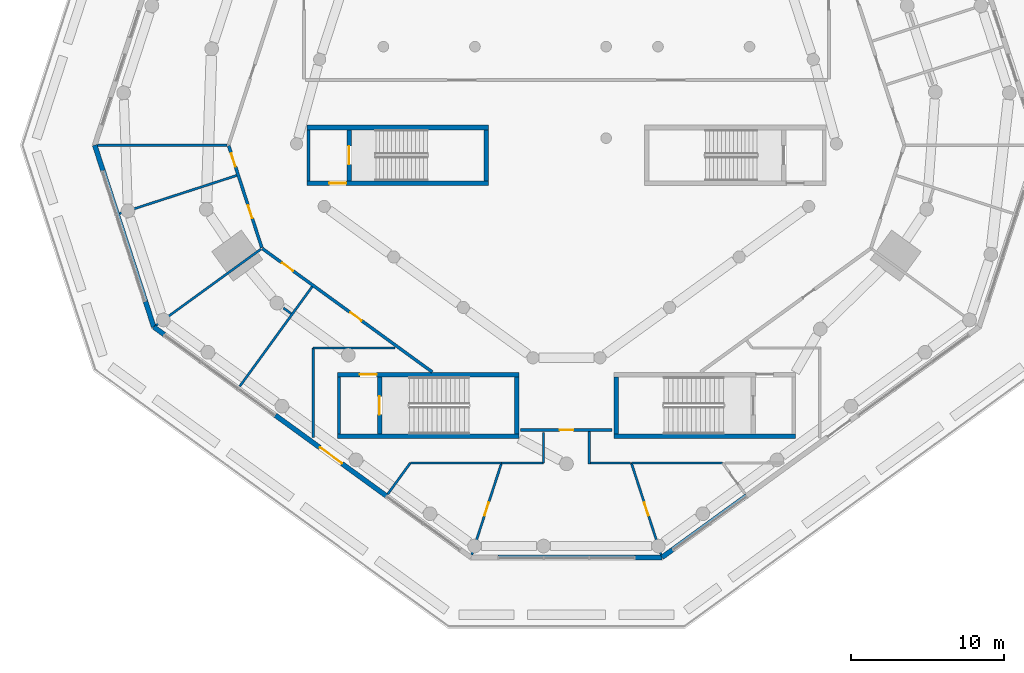
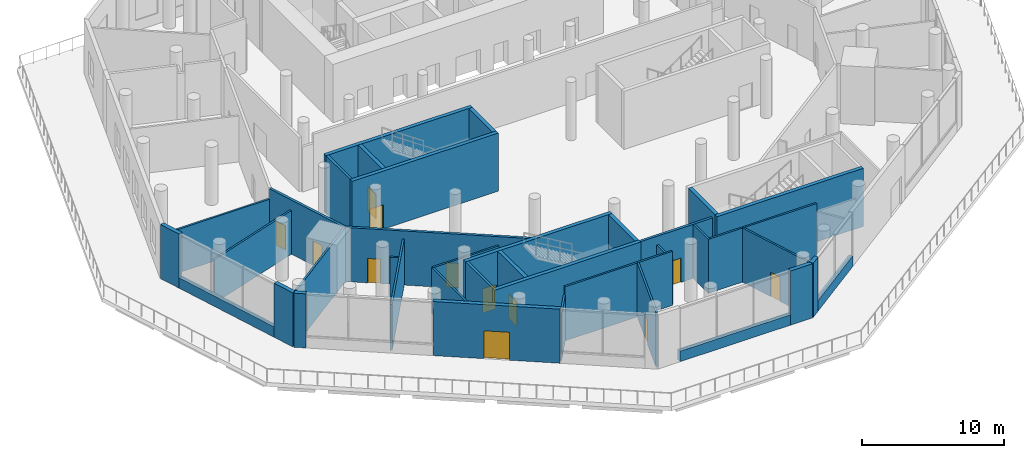
# One storey, part 9 of 19: 40 walls, 12 doors, 12 openings.
"""IFC4 building model written with IfcOpenShell, lengths in metres."""

from ifc_helpers import new_model, si_unit, direction, frame, frame_2d, origin, place, context, subcontext, project, spatial, rectangle, extrude, material, layer, layer_set, type_object, element, fill, save


model = new_model("IFC4")

# Units and contexts
model_context = context("Model", 3, precision=1e-05, world=origin(), true_north=direction((0.0, 1.0)))
body_context = subcontext(model_context, "Body", "Model", "MODEL_VIEW")
ifc_project = project(units=[si_unit("LENGTHUNIT", "METRE"), si_unit("AREAUNIT", "SQUARE_METRE"), si_unit("VOLUMEUNIT", "CUBIC_METRE"), si_unit("PLANEANGLEUNIT", "RADIAN"), si_unit("MASSUNIT", "GRAM", prefix="KILO")], contexts=[model_context])

# Site, building, storey
site_placement = place(None, origin())
site = spatial("IfcSite", under=ifc_project, at=site_placement, CompositionType="ELEMENT")
building_placement = place(site_placement, origin())
building = spatial("IfcBuilding", under=site, at=building_placement, Name="White Candle Pilgrim Tower", CompositionType="ELEMENT")
storey_placement = place(building_placement, frame((0.0, 0.0, 29.0)))
storey = spatial("IfcBuildingStorey", under=building, at=storey_placement, Name="L04", CompositionType="ELEMENT", Elevation=29.0)

# Walls
ifc_material_1 = material(Name="Concrete C70/85", Category="concrete")
ifc_layer_1 = layer(ifc_material_1, 0.199951171875)
ifc_layer_set_1 = layer_set([ifc_layer_1], Name="Core wall 200 mm Concrete C70/85")
wall_type_1 = type_object("IfcWallType", Name="Core wall 200 mm Concrete C70/85", PredefinedType="SHEAR", material=ifc_layer_set_1)
wall_1_placement = place(storey_placement, frame((55.10009765625, 41.60009765625, 0.0), z_axis=(0.0, 0.0, 1.0), x_axis=(0.0, 1.0, 0.0)))
element("IfcWall", 1, at=wall_1_placement, inside=storey, type_object=wall_type_1, Name="WL-L04-C03", PredefinedType="SHEAR", context=body_context, shape_type="SweptSolid", body=[
    extrude(rectangle(XDim=3.75, YDim=0.199951171875, at=frame_2d((1.875, 0.0))), origin(), (0.0, 0.0, 1.0), 5.0),
])
wall_2_placement = place(storey_placement, frame((53.10009765625, 58.199951171875, 0.0), z_axis=(0.0, 0.0, 1.0), x_axis=(0.0, 1.0, 0.0)))
element("IfcWall", 2, at=wall_2_placement, inside=storey, type_object=wall_type_1, Name="WL-L04-C13", PredefinedType="SHEAR", context=body_context, shape_type="SweptSolid", body=[
    extrude(rectangle(XDim=3.35009765625, YDim=0.199951171875, at=frame_2d((1.675048828125, 0.0))), origin(), (0.0, 0.0, 1.0), 5.0),
])

# Wall, openings, doors
ifc_material_2 = material(Name="Gypsum board on steel studs", Category="steel")
ifc_layer_2 = layer(ifc_material_2, 0.199951171875)
ifc_layer_set_2 = layer_set([ifc_layer_2], Name="Corridor wall 200 mm EI 45")
wall_type_2 = type_object("IfcWallType", Name="Corridor wall 200 mm EI 45", PredefinedType="PARTITIONING", material=ifc_layer_set_2)
wall_3_placement = place(storey_placement, frame((61.204345703125, 45.669189453125, 0.0), z_axis=(0.0, 0.0, 1.0), x_axis=(-0.809024401628, 0.587775056948, 0.0)))
wall_3 = element("IfcWall", 3, at=wall_3_placement, inside=storey, type_object=wall_type_2, Name="WL-L04-P001", PredefinedType="PARTITIONING", context=body_context, shape_type="SweptSolid", body=[
    extrude(rectangle(XDim=13.763427734375, YDim=0.199951171875, at=frame_2d((6.8818359375, 0.0))), origin(), (0.0, 0.0, 1.0), 4.64990234375),
])
opening_1_placement = place(wall_3_placement, frame((11.27734375, 0.0, 0.0)))
opening_1 = element("IfcOpeningElement", 4, at=opening_1_placement, cuts=wall_3, Name="Opening L04-106", PredefinedType="OPENING", context=body_context, shape_type="SweptSolid", body=[
    extrude(rectangle(XDim=0.89990234375, YDim=2.10009765625, at=frame_2d((0.449951171875, 1.050048828125))), frame((0.0, 0.10986328125, 0.0), z_axis=(0.0, -1.0, 0.0), x_axis=(1.0, 0.0, 0.0)), (0.0, 0.0, 1.0), 0.219970703125),
])
opening_2_placement = place(wall_3_placement, frame((5.72412109375, 0.0, 0.0)))
opening_2 = element("IfcOpeningElement", 5, at=opening_2_placement, cuts=wall_3, Name="Opening L04-107", PredefinedType="OPENING", context=body_context, shape_type="SweptSolid", body=[
    extrude(rectangle(XDim=0.89990234375, YDim=2.10009765625, at=frame_2d((0.449951171875, 1.050048828125))), frame((0.0, 0.10986328125, 0.0), z_axis=(0.0, -1.0, 0.0), x_axis=(1.0, 0.0, 0.0)), (0.0, 0.0, 1.0), 0.219970703125),
])
ifc_material_3 = material(Name="Steel door leaf", Category="steel")
door_type_1 = type_object("IfcDoorType", Name="Fire door 900 x 2100 EI 30", OperationType="NOTDEFINED", PredefinedType="DOOR", material=ifc_material_3)
door_1_placement = place(opening_1_placement, origin())
door_1 = element("IfcDoor", 6, at=door_1_placement, inside=storey, type_object=door_type_1, Name="Door L04-106", OperationType="SINGLE_SWING_RIGHT", OverallHeight=2.10009765625, OverallWidth=0.89990234375, PredefinedType="DOOR", context=body_context, shape_type="SweptSolid", body=[
    extrude(rectangle(XDim=0.89990234375, YDim=2.10009765625, at=frame_2d((0.449951171875, 1.050048828125))), frame((0.0, 0.02490234375, 0.0), z_axis=(0.0, -1.0, 0.0), x_axis=(1.0, 0.0, 0.0)), (0.0, 0.0, 1.0), 0.050048828125),
])
fill(opening_1, door_1)
door_2_placement = place(opening_2_placement, origin())
door_2 = element("IfcDoor", 7, at=door_2_placement, inside=storey, type_object=door_type_1, Name="Door L04-107", OperationType="SINGLE_SWING_LEFT", OverallHeight=2.10009765625, OverallWidth=0.89990234375, PredefinedType="DOOR", context=body_context, shape_type="SweptSolid", body=[
    extrude(rectangle(XDim=0.89990234375, YDim=2.10009765625, at=frame_2d((0.449951171875, 1.050048828125))), frame((0.0, 0.02490234375, 0.0), z_axis=(0.0, -1.0, 0.0), x_axis=(1.0, 0.0, 0.0)), (0.0, 0.0, 1.0), 0.050048828125),
])
fill(opening_2, door_2)

wall_4_placement = place(storey_placement, frame((50.032958984375, 53.80908203125, 0.0), z_axis=(0.0, 0.0, 1.0), x_axis=(-0.309023375149, 0.951054443032, 0.0)))
wall_4 = element("IfcWall", 8, at=wall_4_placement, inside=storey, type_object=wall_type_2, Name="WL-L04-P002", PredefinedType="PARTITIONING", context=body_context, shape_type="SweptSolid", body=[
    extrude(rectangle(XDim=7.0439453125, YDim=0.199951171875, at=frame_2d((3.52197265625, 0.0))), origin(), (0.0, 0.0, 1.0), 4.64990234375),
])
opening_3_placement = place(wall_4_placement, frame((5.59912109375, 0.0, 0.0)))
opening_3 = element("IfcOpeningElement", 9, at=opening_3_placement, cuts=wall_4, Name="Opening L04-104", PredefinedType="OPENING", context=body_context, shape_type="SweptSolid", body=[
    extrude(rectangle(XDim=0.89990234375, YDim=2.10009765625, at=frame_2d((0.449951171875, 1.050048828125))), frame((0.0, 0.10986328125, 0.0), z_axis=(0.0, -1.0, 0.0), x_axis=(1.0, 0.0, 0.0)), (0.0, 0.0, 1.0), 0.219970703125),
])
opening_4_placement = place(wall_4_placement, frame((2.044921875, 0.0, 0.0)))
opening_4 = element("IfcOpeningElement", 10, at=opening_4_placement, cuts=wall_4, Name="Opening L04-105", PredefinedType="OPENING", context=body_context, shape_type="SweptSolid", body=[
    extrude(rectangle(XDim=0.89990234375, YDim=2.10009765625, at=frame_2d((0.449951171875, 1.050048828125))), frame((0.0, 0.10986328125, 0.0), z_axis=(0.0, -1.0, 0.0), x_axis=(1.0, 0.0, 0.0)), (0.0, 0.0, 1.0), 0.219970703125),
])
door_3_placement = place(opening_3_placement, origin())
door_3 = element("IfcDoor", 11, at=door_3_placement, inside=storey, type_object=door_type_1, Name="Door L04-104", OperationType="SINGLE_SWING_RIGHT", OverallHeight=2.10009765625, OverallWidth=0.89990234375, PredefinedType="DOOR", context=body_context, shape_type="SweptSolid", body=[
    extrude(rectangle(XDim=0.89990234375, YDim=2.10009765625, at=frame_2d((0.449951171875, 1.050048828125))), frame((0.0, 0.02490234375, 0.0), z_axis=(0.0, -1.0, 0.0), x_axis=(1.0, 0.0, 0.0)), (0.0, 0.0, 1.0), 0.050048828125),
])
fill(opening_3, door_3)
door_4_placement = place(opening_4_placement, origin())
door_4 = element("IfcDoor", 12, at=door_4_placement, inside=storey, type_object=door_type_1, Name="Door L04-105", OperationType="SINGLE_SWING_LEFT", OverallHeight=2.10009765625, OverallWidth=0.89990234375, PredefinedType="DOOR", context=body_context, shape_type="SweptSolid", body=[
    extrude(rectangle(XDim=0.89990234375, YDim=2.10009765625, at=frame_2d((0.449951171875, 1.050048828125))), frame((0.0, 0.02490234375, 0.0), z_axis=(0.0, -1.0, 0.0), x_axis=(1.0, 0.0, 0.0)), (0.0, 0.0, 1.0), 0.050048828125),
])
fill(opening_4, door_4)

# Wall, opening, door
wall_5_placement = place(storey_placement, frame((73.0, 41.861083984375, 0.0), z_axis=(0.0, 0.0, 1.0), x_axis=(-1.0, 0.0, 0.0)))
wall_5 = element("IfcWall", 13, at=wall_5_placement, inside=storey, type_object=wall_type_2, Name="WL-L04-P011", PredefinedType="PARTITIONING", context=body_context, shape_type="SweptSolid", body=[
    extrude(rectangle(XDim=6.0, YDim=0.199951171875, at=frame_2d((3.0, 0.0))), origin(), (0.0, 0.0, 1.0), 4.64990234375),
])
opening_5_placement = place(wall_5_placement, frame((2.550048828125, 0.0, 0.0)))
opening_5 = element("IfcOpeningElement", 14, at=opening_5_placement, cuts=wall_5, Name="Opening L04-108", PredefinedType="OPENING", context=body_context, shape_type="SweptSolid", body=[
    extrude(rectangle(XDim=0.89990234375, YDim=2.10009765625, at=frame_2d((0.449951171875, 1.050048828125))), frame((0.0, 0.10986328125, 0.0), z_axis=(0.0, -1.0, 0.0), x_axis=(1.0, 0.0, 0.0)), (0.0, 0.0, 1.0), 0.219970703125),
])
door_5_placement = place(opening_5_placement, origin())
door_5 = element("IfcDoor", 15, at=door_5_placement, inside=storey, type_object=door_type_1, Name="Door L04-108", OperationType="SINGLE_SWING_RIGHT", OverallHeight=2.10009765625, OverallWidth=0.89990234375, PredefinedType="DOOR", context=body_context, shape_type="SweptSolid", body=[
    extrude(rectangle(XDim=0.89990234375, YDim=2.10009765625, at=frame_2d((0.449951171875, 1.050048828125))), frame((0.0, 0.02490234375, 0.0), z_axis=(0.0, -1.0, 0.0), x_axis=(1.0, 0.0, 0.0)), (0.0, 0.0, 1.0), 0.050048828125),
])
fill(opening_5, door_5)

# Walls
ifc_material_4 = material(Name="Precast concrete C40/50", Category="concrete")
ifc_layer_3 = layer(ifc_material_4, 0.320068359375)
ifc_layer_set_3 = layer_set([ifc_layer_3], Name="Facade wall EW3 precast concrete C40/50 and stone-faced podium wall")
wall_type_3 = type_object("IfcWallType", Name="Facade wall EW3 precast concrete C40/50 and stone-faced podium wall", PredefinedType="SOLIDWALL", material=ifc_layer_set_3)
wall_6_placement = place(storey_placement, frame((39.0771484375, 60.5390625, 0.0), z_axis=(0.0, 0.0, 1.0), x_axis=(0.309036002497, -0.951050339972, 0.0)))
element("IfcWall", 16, at=wall_6_placement, inside=storey, type_object=wall_type_3, Name="Facade wall L04 W chamfer", PredefinedType="SOLIDWALL", context=body_context, shape_type="SweptSolid", body=[
    extrude(rectangle(XDim=1.76416015625, YDim=0.320068359375, at=frame_2d((0.882080078125, 0.0))), origin(), (0.0, 0.0, 1.0), 4.64990234375),
])
wall_7_placement = place(storey_placement, frame((39.622314453125, 58.861328125, 0.0), z_axis=(0.0, 0.0, 1.0), x_axis=(0.309000197986, -0.951061973609, 0.0)))
element("IfcWall", 17, at=wall_7_placement, inside=storey, type_object=wall_type_3, Name="Sill wall L04 W chamfer", PredefinedType="SOLIDWALL", context=body_context, shape_type="SweptSolid", body=[
    extrude(rectangle(XDim=9.0, YDim=0.320068359375, at=frame_2d((4.5, 0.0))), origin(), (0.0, 0.0, 1.0), 0.89990234375),
])
wall_8_placement = place(storey_placement, frame((42.4033203125, 50.3017578125, 0.0), z_axis=(0.0, 0.0, 1.0), x_axis=(0.308995332064, -0.951063554534, 0.0)))
element("IfcWall", 18, at=wall_8_placement, inside=storey, type_object=wall_type_3, Name="Facade wall L04 W chamfer", PredefinedType="SOLIDWALL", context=body_context, shape_type="SweptSolid", body=[
    extrude(rectangle(XDim=1.764404296875, YDim=0.320068359375, at=frame_2d((0.88232421875, 0.0))), origin(), (0.0, 0.0, 1.0), 4.64990234375),
])
wall_9_placement = place(storey_placement, frame((42.948486328125, 48.623779296875, 0.0), z_axis=(0.0, 0.0, 1.0), x_axis=(0.809172006105, -0.587571837766, 0.0)))
element("IfcWall", 19, at=wall_9_placement, inside=storey, type_object=wall_type_3, Name="Facade wall L04 SW", PredefinedType="SOLIDWALL", context=body_context, shape_type="SweptSolid", body=[
    extrude(rectangle(XDim=0.84716796875, YDim=0.320068359375, at=frame_2d((0.423583984375, 0.0))), origin(), (0.0, 0.0, 1.0), 4.64990234375),
])

# Wall, opening, door
wall_10_placement = place(storey_placement, frame((50.9150390625, 42.835693359375, 0.0), z_axis=(0.0, 0.0, 1.0), x_axis=(0.809022210299, -0.587778073121, 0.0)))
wall_10 = element("IfcWall", 20, at=wall_10_placement, inside=storey, type_object=wall_type_3, Name="Facade wall L04 SW", PredefinedType="SOLIDWALL", context=body_context, shape_type="SweptSolid", body=[
    extrude(rectangle(XDim=9.0, YDim=0.320068359375, at=frame_2d((4.5, 0.0))), origin(), (0.0, 0.0, 1.0), 4.64990234375),
])
opening_6_placement = place(wall_10_placement, frame((3.60009765625, 0.0, 0.0)))
opening_6 = element("IfcOpeningElement", 21, at=opening_6_placement, cuts=wall_10, Name="Opening L04-924", PredefinedType="OPENING", context=body_context, shape_type="SweptSolid", body=[
    extrude(rectangle(XDim=1.800048828125, YDim=2.39990234375, at=frame_2d((0.89990234375, 1.199951171875))), frame((0.0, 0.169921875, 0.0), z_axis=(0.0, -1.0, 0.0), x_axis=(1.0, 0.0, 0.0)), (0.0, 0.0, 1.0), 0.340087890625),
])
ifc_material_5 = material(Name="Timber frame with laminated glazing", Category="wood")
door_type_2 = type_object("IfcDoorType", Name="Terrace door EN4 1800x2400 double leaf glazed", OperationType="DOUBLE_DOOR_DOUBLE_SWING", PredefinedType="DOOR", material=ifc_material_5)
door_6_placement = place(opening_6_placement, origin())
door_6 = element("IfcDoor", 22, at=door_6_placement, inside=storey, type_object=door_type_2, Name="Door L04 SW 5", OperationType="DOUBLE_DOOR_DOUBLE_SWING", OverallHeight=2.39990234375, OverallWidth=1.800048828125, PredefinedType="DOOR", context=body_context, shape_type="SweptSolid", body=[
    extrude(rectangle(XDim=1.800048828125, YDim=2.39990234375, at=frame_2d((0.89990234375, 1.199951171875))), frame((0.0, 0.0400390625, 0.0), z_axis=(0.0, -1.0, 0.0), x_axis=(1.0, 0.0, 0.0)), (0.0, 0.0, 1.0), 0.050048828125),
])
fill(opening_6, door_6)

# Walls
wall_11_placement = place(storey_placement, frame((65.5, 33.52099609375, 0.0), z_axis=(0.0, 0.0, 1.0), x_axis=(1.0, 0.0, 0.0)))
element("IfcWall", 23, at=wall_11_placement, inside=storey, type_object=wall_type_3, Name="Sill wall L04 S chamfer", PredefinedType="SOLIDWALL", context=body_context, shape_type="SweptSolid", body=[
    extrude(rectangle(XDim=9.0, YDim=0.320068359375, at=frame_2d((4.5, 0.0))), origin(), (0.0, 0.0, 1.0), 0.89990234375),
])
wall_12_placement = place(storey_placement, frame((74.5, 33.52099609375, 0.0), z_axis=(0.0, 0.0, 1.0), x_axis=(1.0, 0.0, 0.0)))
element("IfcWall", 24, at=wall_12_placement, inside=storey, type_object=wall_type_3, Name="Facade wall L04 S chamfer", PredefinedType="SOLIDWALL", context=body_context, shape_type="SweptSolid", body=[
    extrude(rectangle(XDim=1.76416015625, YDim=0.320068359375, at=frame_2d((0.882080078125, 0.0))), origin(), (0.0, 0.0, 1.0), 4.64990234375),
])
wall_13_placement = place(storey_placement, frame((76.26416015625, 33.52099609375, 0.0), z_axis=(0.0, 0.0, 1.0), x_axis=(0.809034999426, 0.587760469668, 0.0)))
element("IfcWall", 25, at=wall_13_placement, inside=storey, type_object=wall_type_3, Name="Facade wall L04 SE", PredefinedType="SOLIDWALL", context=body_context, shape_type="SweptSolid", body=[
    extrude(rectangle(XDim=0.847412109375, YDim=0.320068359375, at=frame_2d((0.423828125, 0.0))), origin(), (0.0, 0.0, 1.0), 4.64990234375),
])
wall_14_placement = place(storey_placement, frame((76.94970703125, 34.01904296875, 0.0), z_axis=(0.0, 0.0, 1.0), x_axis=(0.809019288122, 0.587782095208, 0.0)))
element("IfcWall", 26, at=wall_14_placement, inside=storey, type_object=wall_type_3, Name="Sill wall L04 SE", PredefinedType="SOLIDWALL", context=body_context, shape_type="SweptSolid", body=[
    extrude(rectangle(XDim=5.999755859375, YDim=0.320068359375, at=frame_2d((3.0, 0.0))), origin(), (0.0, 0.0, 1.0), 0.89990234375),
])
ifc_layer_4 = layer(ifc_material_2, 0.14990234375)
ifc_layer_set_4 = layer_set([ifc_layer_4], Name="Partition 150 mm EI 60")
wall_type_4 = type_object("IfcWallType", Name="Partition 150 mm EI 60", PredefinedType="PARTITIONING", material=ifc_layer_set_4)
wall_15_placement = place(storey_placement, frame((39.245361328125, 60.539306640625, 0.0), z_axis=(0.0, 0.0, 1.0), x_axis=(1.0, 0.0, 0.0)))
element("IfcWall", 27, at=wall_15_placement, inside=storey, type_object=wall_type_4, Name="WL-L04-P013", PredefinedType="PARTITIONING", context=body_context, shape_type="SweptSolid", body=[
    extrude(rectangle(XDim=8.515869140625, YDim=0.14990234375, at=frame_2d((4.2578125, 0.0))), origin(), (0.0, 0.0, 1.0), 3.75),
])
wall_16_placement = place(storey_placement, frame((43.084716796875, 48.72265625, 0.0), z_axis=(0.0, 0.0, 1.0), x_axis=(0.809007500309, 0.587798319531, 0.0)))
element("IfcWall", 28, at=wall_16_placement, inside=storey, type_object=wall_type_4, Name="WL-L04-P014", PredefinedType="PARTITIONING", context=body_context, shape_type="SweptSolid", body=[
    extrude(rectangle(XDim=8.515869140625, YDim=0.14990234375, at=frame_2d((4.2578125, 0.0))), origin(), (0.0, 0.0, 1.0), 4.64990234375),
])

# Wall, opening, door
wall_17_placement = place(storey_placement, frame((63.78759765625, 33.68115234375, 0.0), z_axis=(0.0, 0.0, 1.0), x_axis=(0.309043329431, 0.951047959114, 0.0)))
wall_17 = element("IfcWall", 29, at=wall_17_placement, inside=storey, type_object=wall_type_4, Name="WL-L04-P015", PredefinedType="PARTITIONING", context=body_context, shape_type="SweptSolid", body=[
    extrude(rectangle(XDim=6.32861328125, YDim=0.14990234375, at=frame_2d((3.164306640625, 0.0))), origin(), (0.0, 0.0, 1.0), 4.64990234375),
])
opening_7_placement = place(wall_17_placement, frame((2.71435546875, 0.0, 0.0)))
opening_7 = element("IfcOpeningElement", 30, at=opening_7_placement, cuts=wall_17, Name="Opening L04-121", PredefinedType="OPENING", context=body_context, shape_type="SweptSolid", body=[
    extrude(rectangle(XDim=0.89990234375, YDim=2.10009765625, at=frame_2d((0.449951171875, 1.050048828125))), frame((0.0, 0.0849609375, 0.0), z_axis=(0.0, -1.0, 0.0), x_axis=(1.0, 0.0, 0.0)), (0.0, 0.0, 1.0), 0.169921875),
])
door_7_placement = place(opening_7_placement, origin())
door_7 = element("IfcDoor", 31, at=door_7_placement, inside=storey, type_object=door_type_1, Name="Door L04-121", OperationType="SINGLE_SWING_LEFT", OverallHeight=2.10009765625, OverallWidth=0.89990234375, PredefinedType="DOOR", context=body_context, shape_type="SweptSolid", body=[
    extrude(rectangle(XDim=0.89990234375, YDim=2.10009765625, at=frame_2d((0.449951171875, 1.050048828125))), frame((0.0, 0.02490234375, 0.0), z_axis=(0.0, -1.0, 0.0), x_axis=(1.0, 0.0, 0.0)), (0.0, 0.0, 1.0), 0.050048828125),
])
fill(opening_7, door_7)

wall_18_placement = place(storey_placement, frame((76.21240234375, 33.68115234375, 0.0), z_axis=(0.0, 0.0, 1.0), x_axis=(-0.309043329431, 0.951047959114, 0.0)))
wall_18 = element("IfcWall", 32, at=wall_18_placement, inside=storey, type_object=wall_type_4, Name="WL-L04-P016", PredefinedType="PARTITIONING", context=body_context, shape_type="SweptSolid", body=[
    extrude(rectangle(XDim=6.32861328125, YDim=0.14990234375, at=frame_2d((3.164306640625, 0.0))), origin(), (0.0, 0.0, 1.0), 4.64990234375),
])
opening_8_placement = place(wall_18_placement, frame((2.71435546875, 0.0, 0.0)))
opening_8 = element("IfcOpeningElement", 33, at=opening_8_placement, cuts=wall_18, Name="Opening L04-124", PredefinedType="OPENING", context=body_context, shape_type="SweptSolid", body=[
    extrude(rectangle(XDim=0.89990234375, YDim=2.10009765625, at=frame_2d((0.449951171875, 1.050048828125))), frame((0.0, 0.0849609375, 0.0), z_axis=(0.0, -1.0, 0.0), x_axis=(1.0, 0.0, 0.0)), (0.0, 0.0, 1.0), 0.169921875),
])
door_8_placement = place(opening_8_placement, frame((0.89990234375, 0.0, 0.0), z_axis=(0.0, 0.0, 1.0), x_axis=(-1.0, 0.0, 0.0)))
door_8 = element("IfcDoor", 34, at=door_8_placement, inside=storey, type_object=door_type_1, Name="Door L04-124", OperationType="SINGLE_SWING_LEFT", OverallHeight=2.10009765625, OverallWidth=0.89990234375, PredefinedType="DOOR", context=body_context, shape_type="SweptSolid", body=[
    extrude(rectangle(XDim=0.89990234375, YDim=2.10009765625, at=frame_2d((0.449951171875, 1.050048828125))), frame((0.0, 0.02490234375, 0.0), z_axis=(0.0, -1.0, 0.0), x_axis=(1.0, 0.0, 0.0)), (0.0, 0.0, 1.0), 0.050048828125),
])
fill(opening_8, door_8)

# Walls
wall_19_placement = place(storey_placement, frame((40.701416015625, 56.0576171875, 0.0), z_axis=(0.0, 0.0, 1.0), x_axis=(0.951058046839, 0.309012283804, 0.0)))
element("IfcWall", 35, at=wall_19_placement, inside=storey, type_object=wall_type_4, Name="WL-L04-P022", PredefinedType="PARTITIONING", context=body_context, shape_type="SweptSolid", body=[
    extrude(rectangle(XDim=8.080078125, YDim=0.14990234375, at=frame_2d((4.0400390625, 0.0))), origin(), (0.0, 0.0, 1.0), 3.75),
])
wall_20_placement = place(storey_placement, frame((48.58203125, 44.728515625, 0.0), z_axis=(0.0, 0.0, 1.0), x_axis=(0.587781767955, 0.809019525883, 0.0)))
element("IfcWall", 36, at=wall_20_placement, inside=storey, type_object=wall_type_4, Name="WL-L04-P023", PredefinedType="PARTITIONING", context=body_context, shape_type="SweptSolid", body=[
    extrude(rectangle(XDim=8.080078125, YDim=0.14990234375, at=frame_2d((4.0400390625, 0.0))), origin(), (0.0, 0.0, 1.0), 3.949951171875),
])
wall_21_placement = place(storey_placement, frame((58.290283203125, 37.67529296875, 0.0), z_axis=(0.0, 0.0, 1.0), x_axis=(0.587835231723, 0.808980679834, 0.0)))
element("IfcWall", 37, at=wall_21_placement, inside=storey, type_object=wall_type_4, Name="WL-L04-P024", PredefinedType="PARTITIONING", context=body_context, shape_type="SweptSolid", body=[
    extrude(rectangle(XDim=2.502685546875, YDim=0.14990234375, at=frame_2d((1.25146484375, 0.0))), origin(), (0.0, 0.0, 1.0), 3.949951171875),
])
wall_22_placement = place(storey_placement, frame((51.4501953125, 49.863525390625, 0.0), z_axis=(0.0, 0.0, 1.0), x_axis=(0.808939414815, -0.587892016581, 0.0)))
element("IfcWall", 38, at=wall_22_placement, inside=storey, type_object=wall_type_4, Name="WL-L04-P035", PredefinedType="PARTITIONING", context=body_context, shape_type="SweptSolid", body=[
    extrude(rectangle(XDim=0.622802734375, YDim=0.14990234375, at=frame_2d((0.3115234375, 0.0))), origin(), (0.0, 0.0, 1.0), 3.949951171875),
])
wall_23_placement = place(storey_placement, frame((59.761474609375, 39.699951171875, 0.0), z_axis=(0.0, 0.0, 1.0), x_axis=(1.0, 0.0, 0.0)))
element("IfcWall", 39, at=wall_23_placement, inside=storey, type_object=wall_type_4, Name="WL-L04-P043", PredefinedType="PARTITIONING", context=body_context, shape_type="SweptSolid", body=[
    extrude(rectangle(XDim=5.98193359375, YDim=0.14990234375, at=frame_2d((2.990966796875, 0.0))), origin(), (0.0, 0.0, 1.0), 4.64990234375),
])
wall_24_placement = place(storey_placement, frame((68.5, 39.699951171875, 0.0), z_axis=(0.0, 0.0, 1.0), x_axis=(0.0, 1.0, 0.0)))
element("IfcWall", 40, at=wall_24_placement, inside=storey, type_object=wall_type_4, Name="WL-L04-P044", PredefinedType="PARTITIONING", context=body_context, shape_type="SweptSolid", body=[
    extrude(rectangle(XDim=2.001220703125, YDim=0.14990234375, at=frame_2d((1.00048828125, 0.0))), origin(), (0.0, 0.0, 1.0), 3.949951171875),
])
wall_25_placement = place(storey_placement, frame((71.5, 41.760986328125, 0.0), z_axis=(0.0, 0.0, 1.0), x_axis=(0.0, -1.0, 0.0)))
element("IfcWall", 41, at=wall_25_placement, inside=storey, type_object=wall_type_4, Name="WL-L04-P045", PredefinedType="PARTITIONING", context=body_context, shape_type="SweptSolid", body=[
    extrude(rectangle(XDim=2.12109375, YDim=0.14990234375, at=frame_2d((1.060546875, 0.0))), origin(), (0.0, 0.0, 1.0), 4.64990234375),
])
wall_26_placement = place(storey_placement, frame((71.43994140625, 39.699951171875, 0.0), z_axis=(0.0, 0.0, 1.0), x_axis=(1.0, 0.0, 0.0)))
element("IfcWall", 42, at=wall_26_placement, inside=storey, type_object=wall_type_4, Name="WL-L04-P046", PredefinedType="PARTITIONING", context=body_context, shape_type="SweptSolid", body=[
    extrude(rectangle(XDim=2.75, YDim=0.14990234375, at=frame_2d((1.375, 0.0))), origin(), (0.0, 0.0, 1.0), 4.64990234375),
])
wall_27_placement = place(storey_placement, frame((65.743408203125, 39.699951171875, 0.0), z_axis=(0.0, 0.0, 1.0), x_axis=(1.0, 0.0, 0.0)))
element("IfcWall", 43, at=wall_27_placement, inside=storey, type_object=wall_type_4, Name="WL-L04-P047", PredefinedType="PARTITIONING", context=body_context, shape_type="SweptSolid", body=[
    extrude(rectangle(XDim=2.756591796875, YDim=0.14990234375, at=frame_2d((1.37841796875, 0.0))), origin(), (0.0, 0.0, 1.0), 4.64990234375),
])
wall_28_placement = place(storey_placement, frame((53.39990234375, 47.25, 0.0), z_axis=(0.0, 0.0, 1.0), x_axis=(0.0, -1.0, 0.0)))
element("IfcWall", 44, at=wall_28_placement, inside=storey, type_object=wall_type_4, Name="WL-L04-P048", PredefinedType="PARTITIONING", context=body_context, shape_type="SweptSolid", body=[
    extrude(rectangle(XDim=5.861083984375, YDim=0.14990234375, at=frame_2d((2.9306640625, 0.0))), origin(), (0.0, 0.0, 1.0), 3.949951171875),
])
wall_29_placement = place(storey_placement, frame((58.756103515625, 47.25, 0.0), z_axis=(0.0, 0.0, 1.0), x_axis=(-1.0, 0.0, 0.0)))
element("IfcWall", 45, at=wall_29_placement, inside=storey, type_object=wall_type_4, Name="WL-L04-P049", PredefinedType="PARTITIONING", context=body_context, shape_type="SweptSolid", body=[
    extrude(rectangle(XDim=5.356201171875, YDim=0.14990234375, at=frame_2d((2.67822265625, 0.0))), origin(), (0.0, 0.0, 1.0), 3.949951171875),
])
wall_30_placement = place(storey_placement, frame((74.256591796875, 39.699951171875, 0.0), z_axis=(0.0, 0.0, 1.0), x_axis=(1.0, 0.0, 0.0)))
element("IfcWall", 46, at=wall_30_placement, inside=storey, type_object=wall_type_4, Name="WL-L04-P052", PredefinedType="PARTITIONING", context=body_context, shape_type="SweptSolid", body=[
    extrude(rectangle(XDim=5.98193359375, YDim=0.14990234375, at=frame_2d((2.990966796875, 0.0))), origin(), (0.0, 0.0, 1.0), 4.64990234375),
])
ifc_layer_5 = layer(ifc_material_1, 0.300048828125)
ifc_layer_set_5 = layer_set([ifc_layer_5], Name="Stair shaft wall 300 mm Concrete C70/85")
wall_type_5 = type_object("IfcWallType", Name="Stair shaft wall 300 mm Concrete C70/85", PredefinedType="SHEAR", material=ifc_layer_set_5)
for number, where, z_axis, x_axis, name in (
    (47, (55.0, 41.449951171875, 0.0), (0.0, 0.0, 1.0), (1.0, 0.0, 0.0), "WL-L04-C01"),
    (48, (73.10009765625, 41.449951171875, 0.0), (0.0, 0.0, 1.0), (1.0, 0.0, 0.0), "WL-L04-C02"),
):
    element("IfcWall", number, at=place(storey_placement, frame(where, z_axis=z_axis, x_axis=x_axis)), inside=storey, type_object=wall_type_5, Name=name, PredefinedType="SHEAR", context=body_context, shape_type="SweptSolid", body=[
        extrude(rectangle(XDim=11.89990234375, YDim=0.300048828125, at=frame_2d((5.949951171875, 0.0))), origin(), (0.0, 0.0, 1.0), 5.0),
    ])

# Wall, opening, door
wall_31_placement = place(storey_placement, frame((57.75, 41.60009765625, 0.0), z_axis=(0.0, 0.0, 1.0), x_axis=(0.0, 1.0, 0.0)))
wall_31 = element("IfcWall", 49, at=wall_31_placement, inside=storey, type_object=wall_type_5, Name="WL-L04-C04", PredefinedType="SHEAR", context=body_context, shape_type="SweptSolid", body=[
    extrude(rectangle(XDim=3.75, YDim=0.300048828125, at=frame_2d((1.875, 0.0))), origin(), (0.0, 0.0, 1.0), 5.0),
])
opening_9_placement = place(wall_31_placement, frame((1.27490234375, 0.0, 0.0)))
opening_9 = element("IfcOpeningElement", 50, at=opening_9_placement, cuts=wall_31, Name="Opening L04-012", PredefinedType="OPENING", context=body_context, shape_type="SweptSolid", body=[
    extrude(rectangle(XDim=1.199951171875, YDim=2.10009765625, at=frame_2d((0.60009765625, 1.050048828125))), frame((0.0, 0.159912109375, 0.0), z_axis=(0.0, -1.0, 0.0), x_axis=(1.0, 0.0, 0.0)), (0.0, 0.0, 1.0), 0.320068359375),
])
door_type_3 = type_object("IfcDoorType", Name="Fire door 1200 x 2100 EI 60", OperationType="NOTDEFINED", PredefinedType="DOOR", material=ifc_material_3)
door_9_placement = place(opening_9_placement, frame((1.199951171875, 0.0, 0.0), z_axis=(0.0, 0.0, 1.0), x_axis=(-1.0, 0.0, 0.0)))
door_9 = element("IfcDoor", 51, at=door_9_placement, inside=storey, type_object=door_type_3, Name="Door L04-012", OperationType="SINGLE_SWING_LEFT", OverallHeight=2.10009765625, OverallWidth=1.199951171875, PredefinedType="DOOR", context=body_context, shape_type="SweptSolid", body=[
    extrude(rectangle(XDim=1.199951171875, YDim=2.10009765625, at=frame_2d((0.60009765625, 1.050048828125))), frame((0.0, 0.02490234375, 0.0), z_axis=(0.0, -1.0, 0.0), x_axis=(1.0, 0.0, 0.0)), (0.0, 0.0, 1.0), 0.050048828125),
])
fill(opening_9, door_9)

# Walls
for number, where, z_axis, x_axis, name in (
    (52, (66.75, 41.60009765625, 0.0), (0.0, 0.0, 1.0), (0.0, 1.0, 0.0), "WL-L04-C05"),
    (53, (73.25, 41.60009765625, 0.0), (0.0, 0.0, 1.0), (0.0, 1.0, 0.0), "WL-L04-C06"),
):
    element("IfcWall", number, at=place(storey_placement, frame(where, z_axis=z_axis, x_axis=x_axis)), inside=storey, type_object=wall_type_5, Name=name, PredefinedType="SHEAR", context=body_context, shape_type="SweptSolid", body=[
        extrude(rectangle(XDim=3.75, YDim=0.300048828125, at=frame_2d((1.875, 0.0))), origin(), (0.0, 0.0, 1.0), 5.0),
    ])

# Wall, opening, door
wall_32_placement = place(storey_placement, frame((55.0, 45.5, 0.0), z_axis=(0.0, 0.0, 1.0), x_axis=(1.0, 0.0, 0.0)))
wall_32 = element("IfcWall", 54, at=wall_32_placement, inside=storey, type_object=wall_type_5, Name="WL-L04-C09", PredefinedType="SHEAR", context=body_context, shape_type="SweptSolid", body=[
    extrude(rectangle(XDim=11.89990234375, YDim=0.300048828125, at=frame_2d((5.949951171875, 0.0))), origin(), (0.0, 0.0, 1.0), 5.0),
])
opening_10_placement = place(wall_32_placement, frame((1.449951171875, 0.0, 0.0)))
opening_10 = element("IfcOpeningElement", 55, at=opening_10_placement, cuts=wall_32, Name="Opening L04-011", PredefinedType="OPENING", context=body_context, shape_type="SweptSolid", body=[
    extrude(rectangle(XDim=1.10009765625, YDim=2.10009765625, at=frame_2d((0.550048828125, 1.050048828125))), frame((0.0, 0.159912109375, 0.0), z_axis=(0.0, -1.0, 0.0), x_axis=(1.0, 0.0, 0.0)), (0.0, 0.0, 1.0), 0.320068359375),
])
door_type_4 = type_object("IfcDoorType", Name="Fire door 1100 x 2100 EI 60", OperationType="NOTDEFINED", PredefinedType="DOOR", material=ifc_material_3)
door_10_placement = place(opening_10_placement, frame((1.10009765625, 0.0, 0.0), z_axis=(0.0, 0.0, 1.0), x_axis=(-1.0, 0.0, 0.0)))
door_10 = element("IfcDoor", 56, at=door_10_placement, inside=storey, type_object=door_type_4, Name="Door L04-011", OperationType="SINGLE_SWING_RIGHT", OverallHeight=2.10009765625, OverallWidth=1.10009765625, PredefinedType="DOOR", context=body_context, shape_type="SweptSolid", body=[
    extrude(rectangle(XDim=1.10009765625, YDim=2.10009765625, at=frame_2d((0.550048828125, 1.050048828125))), frame((0.0, 0.02490234375, 0.0), z_axis=(0.0, -1.0, 0.0), x_axis=(1.0, 0.0, 0.0)), (0.0, 0.0, 1.0), 0.050048828125),
])
fill(opening_10, door_10)

wall_33_placement = place(storey_placement, frame((53.0, 58.050048828125, 0.0), z_axis=(0.0, 0.0, 1.0), x_axis=(1.0, 0.0, 0.0)))
wall_33 = element("IfcWall", 57, at=wall_33_placement, inside=storey, type_object=wall_type_5, Name="WL-L04-C11", PredefinedType="SHEAR", context=body_context, shape_type="SweptSolid", body=[
    extrude(rectangle(XDim=11.89990234375, YDim=0.300048828125, at=frame_2d((5.949951171875, 0.0))), origin(), (0.0, 0.0, 1.0), 5.0),
])
opening_11_placement = place(wall_33_placement, frame((1.449951171875, 0.0, 0.0)))
opening_11 = element("IfcOpeningElement", 58, at=opening_11_placement, cuts=wall_33, Name="Opening L04-007", PredefinedType="OPENING", context=body_context, shape_type="SweptSolid", body=[
    extrude(rectangle(XDim=1.10009765625, YDim=2.10009765625, at=frame_2d((0.550048828125, 1.050048828125))), frame((0.0, 0.159912109375, 0.0), z_axis=(0.0, -1.0, 0.0), x_axis=(1.0, 0.0, 0.0)), (0.0, 0.0, 1.0), 0.320068359375),
])
door_11_placement = place(opening_11_placement, origin())
door_11 = element("IfcDoor", 59, at=door_11_placement, inside=storey, type_object=door_type_4, Name="Door L04-007", OperationType="SINGLE_SWING_LEFT", OverallHeight=2.10009765625, OverallWidth=1.10009765625, PredefinedType="DOOR", context=body_context, shape_type="SweptSolid", body=[
    extrude(rectangle(XDim=1.10009765625, YDim=2.10009765625, at=frame_2d((0.550048828125, 1.050048828125))), frame((0.0, 0.02490234375, 0.0), z_axis=(0.0, -1.0, 0.0), x_axis=(1.0, 0.0, 0.0)), (0.0, 0.0, 1.0), 0.050048828125),
])
fill(opening_11, door_11)

wall_34_placement = place(storey_placement, frame((55.75, 58.199951171875, 0.0), z_axis=(0.0, 0.0, 1.0), x_axis=(0.0, 1.0, 0.0)))
wall_34 = element("IfcWall", 60, at=wall_34_placement, inside=storey, type_object=wall_type_5, Name="WL-L04-C14", PredefinedType="SHEAR", context=body_context, shape_type="SweptSolid", body=[
    extrude(rectangle(XDim=3.35009765625, YDim=0.300048828125, at=frame_2d((1.675048828125, 0.0))), origin(), (0.0, 0.0, 1.0), 5.0),
])
opening_12_placement = place(wall_34_placement, frame((1.074951171875, 0.0, 0.0)))
opening_12 = element("IfcOpeningElement", 61, at=opening_12_placement, cuts=wall_34, Name="Opening L04-008", PredefinedType="OPENING", context=body_context, shape_type="SweptSolid", body=[
    extrude(rectangle(XDim=1.199951171875, YDim=2.10009765625, at=frame_2d((0.60009765625, 1.050048828125))), frame((0.0, 0.159912109375, 0.0), z_axis=(0.0, -1.0, 0.0), x_axis=(1.0, 0.0, 0.0)), (0.0, 0.0, 1.0), 0.320068359375),
])
door_12_placement = place(opening_12_placement, frame((1.199951171875, 0.0, 0.0), z_axis=(0.0, 0.0, 1.0), x_axis=(-1.0, 0.0, 0.0)))
door_12 = element("IfcDoor", 62, at=door_12_placement, inside=storey, type_object=door_type_3, Name="Door L04-008", OperationType="SINGLE_SWING_LEFT", OverallHeight=2.10009765625, OverallWidth=1.199951171875, PredefinedType="DOOR", context=body_context, shape_type="SweptSolid", body=[
    extrude(rectangle(XDim=1.199951171875, YDim=2.10009765625, at=frame_2d((0.60009765625, 1.050048828125))), frame((0.0, 0.02490234375, 0.0), z_axis=(0.0, -1.0, 0.0), x_axis=(1.0, 0.0, 0.0)), (0.0, 0.0, 1.0), 0.050048828125),
])
fill(opening_12, door_12)

# Walls
wall_35_placement = place(storey_placement, frame((64.75, 58.199951171875, 0.0), z_axis=(0.0, 0.0, 1.0), x_axis=(0.0, 1.0, 0.0)))
element("IfcWall", 63, at=wall_35_placement, inside=storey, type_object=wall_type_5, Name="WL-L04-C15", PredefinedType="SHEAR", context=body_context, shape_type="SweptSolid", body=[
    extrude(rectangle(XDim=3.35009765625, YDim=0.300048828125, at=frame_2d((1.675048828125, 0.0))), origin(), (0.0, 0.0, 1.0), 5.0),
])
wall_36_placement = place(storey_placement, frame((53.0, 61.699951171875, 0.0), z_axis=(0.0, 0.0, 1.0), x_axis=(1.0, 0.0, 0.0)))
element("IfcWall", 64, at=wall_36_placement, inside=storey, type_object=wall_type_5, Name="WL-L04-C19", PredefinedType="SHEAR", context=body_context, shape_type="SweptSolid", body=[
    extrude(rectangle(XDim=11.89990234375, YDim=0.300048828125, at=frame_2d((5.949951171875, 0.0))), origin(), (0.0, 0.0, 1.0), 5.0),
])

save(model, "model.ifc")
